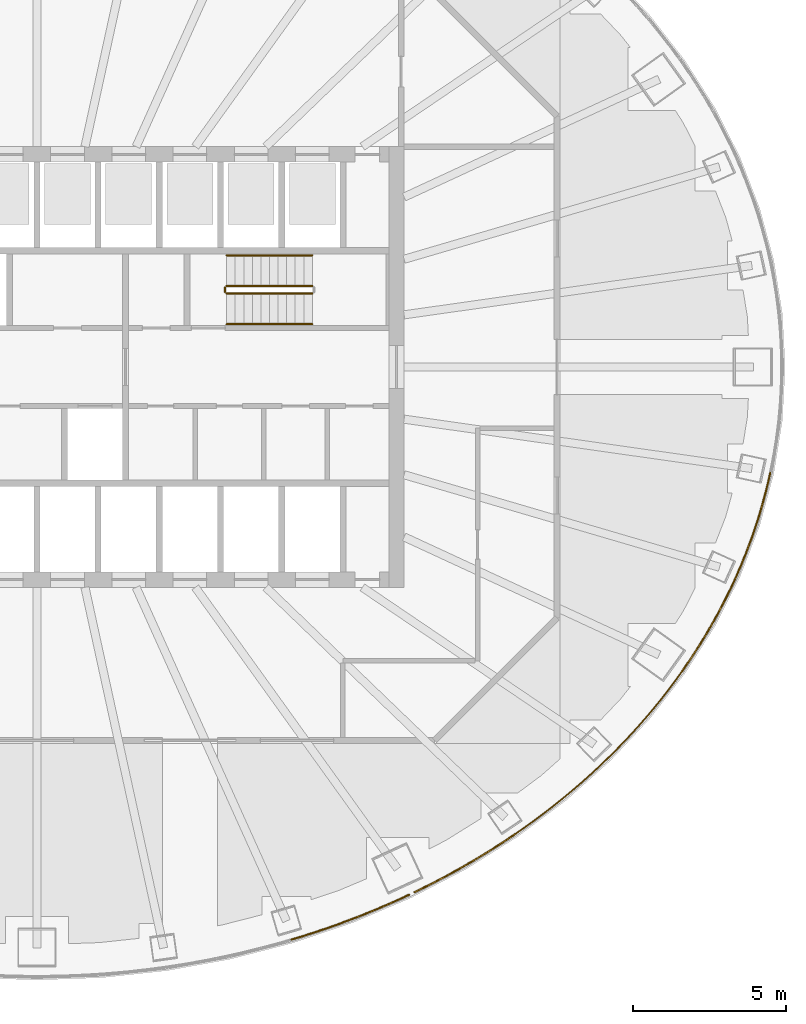
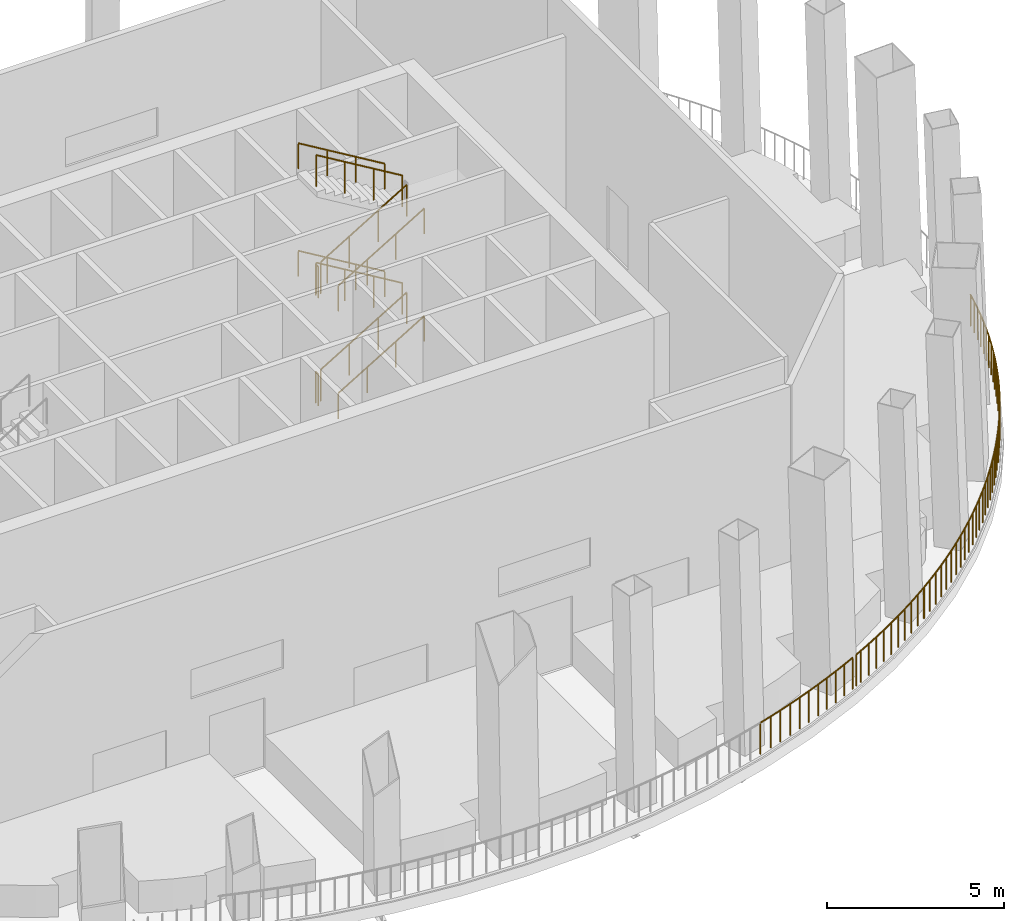
# One storey, part 11 of 15: 16 railings.
"""IFC4 building model written with IfcOpenShell, lengths in metres."""

from ifc_helpers import new_model, si_unit, direction, frame, origin, origin_2d, place, context, subcontext, project, spatial, circle, extrude, material, type_object, element, save


model = new_model("IFC4")

# Units and contexts
model_context = context("Model", 3, precision=1e-05, world=origin(), true_north=direction((0.0, 1.0)))
body_context = subcontext(model_context, "Body", "Model", "MODEL_VIEW")
ifc_project = project(units=[si_unit("LENGTHUNIT", "METRE"), si_unit("AREAUNIT", "SQUARE_METRE"), si_unit("VOLUMEUNIT", "CUBIC_METRE"), si_unit("PLANEANGLEUNIT", "RADIAN"), si_unit("MASSUNIT", "GRAM", prefix="KILO")], contexts=[model_context])

# Site, building, storey
site_placement = place(None, origin())
site = spatial("IfcSite", under=ifc_project, at=site_placement, CompositionType="ELEMENT")
building_placement = place(site_placement, origin())
building = spatial("IfcBuilding", under=site, at=building_placement, Name="Siaravel Broadcast Tower", CompositionType="ELEMENT")
storey_placement = place(building_placement, frame((0.0, 0.0, 145.199951171875)))
storey = spatial("IfcBuildingStorey", under=building, at=storey_placement, Name="L35", CompositionType="ELEMENT", Elevation=145.199951171875)

# Railings
ifc_material_1 = material(Name="Steel S355", Category="steel")
railing_type_1 = type_object("IfcRailingType", Name="Guard 1100", PredefinedType="GUARDRAIL", material=ifc_material_1)
railing_1_placement = place(storey_placement, frame((8.322265625, -18.708984375, 0.080078125)))
element("IfcRailing", 1, at=railing_1_placement, inside=storey, type_object=railing_type_1, Name="L35 sky garden guard 30", PredefinedType="GUARDRAIL", context=body_context, shape_type="SweptSolid", body=[
    extrude(circle(Radius=0.02392578125, at=origin_2d()), frame((0.0, 0.0, 1.076171875), z_axis=(0.956196605, 0.292725218, 0.0), x_axis=(-0.292725218, 0.956196605, 0.0)), (0.0, 0.0, 1.0), 0.416259765625),
    extrude(circle(Radius=0.02392578125, at=origin_2d()), frame((0.39794921875, 0.121826171875, 1.076171875), z_axis=(0.951869286, 0.306504263, 0.0), x_axis=(-0.306504263, 0.951869286, 0.0)), (0.0, 0.0, 1.0), 0.4150390625),
    extrude(circle(Radius=0.02392578125, at=origin_2d()), frame((0.79296875, 0.2490234375, 1.076171875), z_axis=(0.947020316, 0.321173661, 0.0), x_axis=(-0.321173661, 0.947020316, 0.0)), (0.0, 0.0, 1.0), 0.414306640625),
    extrude(circle(Radius=0.02392578125, at=origin_2d()), frame((1.185302734375, 0.382080078125, 1.076171875), z_axis=(0.942048858, 0.335475706, 0.0), x_axis=(-0.335475706, 0.942048858, 0.0)), (0.0, 0.0, 1.0), 0.413330078125),
    extrude(circle(Radius=0.02392578125, at=origin_2d()), frame((1.57470703125, 0.520751953125, 1.076171875), z_axis=(0.937032744, 0.349241516, 0.0), x_axis=(-0.349241516, 0.937032744, 0.0)), (0.0, 0.0, 1.0), 0.412353515625),
    extrude(circle(Radius=0.02392578125, at=origin_2d()), frame((1.961181640625, 0.664794921875, 1.076171875), z_axis=(0.931513893, 0.363705743, 0.0), x_axis=(-0.363705743, 0.931513893, 0.0)), (0.0, 0.0, 1.0), 0.411376953125),
    extrude(circle(Radius=0.02392578125, at=origin_2d()), frame((2.344482421875, 0.814453125, 1.076171875), z_axis=(0.925953766, 0.377636893, 0.0), x_axis=(-0.377636893, 0.925953766, 0.0)), (0.0, 0.0, 1.0), 0.41064453125),
    extrude(circle(Radius=0.02392578125, at=origin_2d()), frame((2.724609375, 0.969482421875, 1.076171875), z_axis=(0.920067764, 0.391759249, 0.0), x_axis=(-0.391759249, 0.920067764, 0.0)), (0.0, 0.0, 1.0), 0.409423828125),
    extrude(circle(Radius=0.02392578125, at=origin_2d()), frame((3.101318359375, 1.1298828125, 1.076171875), z_axis=(0.913934751, 0.405861148, 0.0), x_axis=(-0.405861148, 0.913934751, 0.0)), (0.0, 0.0, 1.0), 0.408447265625),
    extrude(circle(Radius=0.02392578125, at=origin_2d()), frame((3.474609375, 1.295654296875, 1.076171875), z_axis=(0.90744998, 0.420160129, 0.0), x_axis=(-0.420160129, 0.90744998, 0.0)), (0.0, 0.0, 1.0), 0.4072265625),
    extrude(circle(Radius=0.02099609375, at=origin_2d()), origin(), (0.0, 0.0, 1.0), 1.052001953125),
    extrude(circle(Radius=0.02099609375, at=origin_2d()), frame((0.39794921875, 0.121826171875, 0.0)), (0.0, 0.0, 1.0), 1.052001953125),
    extrude(circle(Radius=0.02099609375, at=origin_2d()), frame((0.79296875, 0.2490234375, 0.0)), (0.0, 0.0, 1.0), 1.052001953125),
    extrude(circle(Radius=0.02099609375, at=origin_2d()), frame((1.185302734375, 0.382080078125, 0.0)), (0.0, 0.0, 1.0), 1.052001953125),
    extrude(circle(Radius=0.02099609375, at=origin_2d()), frame((1.57470703125, 0.520751953125, 0.0)), (0.0, 0.0, 1.0), 1.052001953125),
    extrude(circle(Radius=0.02099609375, at=origin_2d()), frame((1.961181640625, 0.664794921875, 0.0)), (0.0, 0.0, 1.0), 1.052001953125),
    extrude(circle(Radius=0.02099609375, at=origin_2d()), frame((2.344482421875, 0.814453125, 0.0)), (0.0, 0.0, 1.0), 1.052001953125),
    extrude(circle(Radius=0.02099609375, at=origin_2d()), frame((2.724609375, 0.969482421875, 0.0)), (0.0, 0.0, 1.0), 1.052001953125),
    extrude(circle(Radius=0.02099609375, at=origin_2d()), frame((3.101318359375, 1.1298828125, 0.0)), (0.0, 0.0, 1.0), 1.052001953125),
    extrude(circle(Radius=0.02099609375, at=origin_2d()), frame((3.474609375, 1.295654296875, 0.0)), (0.0, 0.0, 1.0), 1.052001953125),
    extrude(circle(Radius=0.02099609375, at=origin_2d()), frame((3.84423828125, 1.466796875, 0.0)), (0.0, 0.0, 1.0), 1.052001953125),
])
railing_2_placement = place(storey_placement, frame((12.338134765625, -17.16015625, 0.080078125)))
element("IfcRailing", 2, at=railing_2_placement, inside=storey, type_object=railing_type_1, Name="L35 sky garden guard 31", PredefinedType="GUARDRAIL", context=body_context, shape_type="SweptSolid", body=[
    extrude(circle(Radius=0.02392578125, at=origin_2d()), frame((0.0, 0.0, 1.076171875), z_axis=(0.899571677, 0.436773166, 0.0), x_axis=(-0.436773166, 0.899571677, 0.0)), (0.0, 0.0, 1.0), 0.2158203125),
    extrude(circle(Radius=0.02392578125, at=origin_2d()), frame((0.194091796875, 0.09423828125, 1.076171875), z_axis=(0.893823666, 0.448418616, 0.0), x_axis=(-0.448418616, 0.893823666, 0.0)), (0.0, 0.0, 1.0), 0.405029296875),
    extrude(circle(Radius=0.02392578125, at=origin_2d()), frame((0.55615234375, 0.27587890625, 1.076171875), z_axis=(0.886810939, 0.462132404, 0.0), x_axis=(-0.462132404, 0.886810939, 0.0)), (0.0, 0.0, 1.0), 0.404052734375),
    extrude(circle(Radius=0.02392578125, at=origin_2d()), frame((0.91455078125, 0.462646484375, 1.076171875), z_axis=(0.879397774, 0.47608776, 0.0), x_axis=(-0.47608776, 0.879397774, 0.0)), (0.0, 0.0, 1.0), 0.402587890625),
    extrude(circle(Radius=0.02392578125, at=origin_2d()), frame((1.2685546875, 0.654296875, 1.076171875), z_axis=(0.871737838, 0.489972592, 0.0), x_axis=(-0.489972592, 0.871737838, 0.0)), (0.0, 0.0, 1.0), 0.401611328125),
    extrude(circle(Radius=0.02392578125, at=origin_2d()), frame((1.61865234375, 0.85107421875, 1.076171875), z_axis=(0.863513365, 0.504325955, 0.0), x_axis=(-0.504325955, 0.863513365, 0.0)), (0.0, 0.0, 1.0), 0.400390625),
    extrude(circle(Radius=0.02392578125, at=origin_2d()), frame((1.96435546875, 1.052978515625, 1.076171875), z_axis=(0.855271779, 0.518179683, 0.0), x_axis=(-0.518179683, 0.855271779, 0.0)), (0.0, 0.0, 1.0), 0.399169921875),
    extrude(circle(Radius=0.02392578125, at=origin_2d()), frame((2.3056640625, 1.259765625, 1.076171875), z_axis=(0.847031383, 0.531542882, 0.0), x_axis=(-0.531542882, 0.847031383, 0.0)), (0.0, 0.0, 1.0), 0.397705078125),
    extrude(circle(Radius=0.02392578125, at=origin_2d()), frame((2.642578125, 1.47119140625, 1.076171875), z_axis=(0.838063561, 0.545572605, 0.0), x_axis=(-0.545572605, 0.838063561, 0.0)), (0.0, 0.0, 1.0), 0.396484375),
    extrude(circle(Radius=0.02392578125, at=origin_2d()), frame((2.974853515625, 1.6875, 1.076171875), z_axis=(0.829085479, 0.559121873, 0.0), x_axis=(-0.559121873, 0.829085479, 0.0)), (0.0, 0.0, 1.0), 0.394287109375),
    extrude(circle(Radius=0.02099609375, at=origin_2d()), origin(), (0.0, 0.0, 1.0), 1.052001953125),
    extrude(circle(Radius=0.02099609375, at=origin_2d()), frame((0.194091796875, 0.09423828125, 0.0)), (0.0, 0.0, 1.0), 1.052001953125),
    extrude(circle(Radius=0.02099609375, at=origin_2d()), frame((0.55615234375, 0.27587890625, 0.0)), (0.0, 0.0, 1.0), 1.052001953125),
    extrude(circle(Radius=0.02099609375, at=origin_2d()), frame((0.91455078125, 0.462646484375, 0.0)), (0.0, 0.0, 1.0), 1.052001953125),
    extrude(circle(Radius=0.02099609375, at=origin_2d()), frame((1.2685546875, 0.654296875, 0.0)), (0.0, 0.0, 1.0), 1.052001953125),
    extrude(circle(Radius=0.02099609375, at=origin_2d()), frame((1.61865234375, 0.85107421875, 0.0)), (0.0, 0.0, 1.0), 1.052001953125),
    extrude(circle(Radius=0.02099609375, at=origin_2d()), frame((1.96435546875, 1.052978515625, 0.0)), (0.0, 0.0, 1.0), 1.052001953125),
    extrude(circle(Radius=0.02099609375, at=origin_2d()), frame((2.3056640625, 1.259765625, 0.0)), (0.0, 0.0, 1.0), 1.052001953125),
    extrude(circle(Radius=0.02099609375, at=origin_2d()), frame((2.642578125, 1.47119140625, 0.0)), (0.0, 0.0, 1.0), 1.052001953125),
    extrude(circle(Radius=0.02099609375, at=origin_2d()), frame((2.974853515625, 1.6875, 0.0)), (0.0, 0.0, 1.0), 1.052001953125),
    extrude(circle(Radius=0.02099609375, at=origin_2d()), frame((3.3017578125, 1.907958984375, 0.0)), (0.0, 0.0, 1.0), 1.052001953125),
])
railing_3_placement = place(storey_placement, frame((15.660888671875, -15.23779296875, 0.080078125)))
element("IfcRailing", 3, at=railing_3_placement, inside=storey, type_object=railing_type_1, Name="L35 sky garden guard 32", PredefinedType="GUARDRAIL", context=body_context, shape_type="SweptSolid", body=[
    extrude(circle(Radius=0.02392578125, at=origin_2d()), frame((0.0, 0.0, 1.076171875), z_axis=(0.819449012, 0.573152089, 0.0), x_axis=(-0.573152089, 0.819449012, 0.0)), (0.0, 0.0, 1.0), 0.36962890625),
    extrude(circle(Radius=0.02392578125, at=origin_2d()), frame((0.302978515625, 0.2119140625, 1.076171875), z_axis=(0.809891172, 0.586580165, 0.0), x_axis=(-0.586580165, 0.809891172, 0.0)), (0.0, 0.0, 1.0), 0.392578125),
    extrude(circle(Radius=0.02392578125, at=origin_2d()), frame((0.620849609375, 0.442138671875, 1.076171875), z_axis=(0.800374142, 0.599500819, 0.0), x_axis=(-0.599500819, 0.800374142, 0.0)), (0.0, 0.0, 1.0), 0.391357421875),
    extrude(circle(Radius=0.02392578125, at=origin_2d()), frame((0.93408203125, 0.6767578125, 1.076171875), z_axis=(0.78982378, 0.613333838, 0.0), x_axis=(-0.613333838, 0.78982378, 0.0)), (0.0, 0.0, 1.0), 0.39013671875),
    extrude(circle(Radius=0.02392578125, at=origin_2d()), frame((1.2421875, 0.916015625, 1.076171875), z_axis=(0.779026654, 0.626990807, 0.0), x_axis=(-0.626990807, 0.779026654, 0.0)), (0.0, 0.0, 1.0), 0.388671875),
    extrude(circle(Radius=0.02392578125, at=origin_2d()), frame((1.544921875, 1.15966796875, 1.076171875), z_axis=(0.768737515, 0.639564408, 0.0), x_axis=(-0.639564408, 0.768737515, 0.0)), (0.0, 0.0, 1.0), 0.387451171875),
    extrude(circle(Radius=0.02392578125, at=origin_2d()), frame((1.8427734375, 1.407470703125, 1.076171875), z_axis=(0.75737759, 0.652977171, 0.0), x_axis=(-0.652977171, 0.75737759, 0.0)), (0.0, 0.0, 1.0), 0.3857421875),
    extrude(circle(Radius=0.02392578125, at=origin_2d()), frame((2.135009765625, 1.659423828125, 1.076171875), z_axis=(0.745656101, 0.666330984, 0.0), x_axis=(-0.666330984, 0.745656101, 0.0)), (0.0, 0.0, 1.0), 0.384765625),
    extrude(circle(Radius=0.02392578125, at=origin_2d()), frame((2.421875, 1.915771484375, 1.076171875), z_axis=(0.734583574, 0.678518219, 0.0), x_axis=(-0.678518219, 0.734583574, 0.0)), (0.0, 0.0, 1.0), 0.38330078125),
    extrude(circle(Radius=0.02392578125, at=origin_2d()), frame((2.703369140625, 2.17578125, 1.076171875), z_axis=(0.721655507, 0.69225236, 0.0), x_axis=(-0.69225236, 0.721655507, 0.0)), (0.0, 0.0, 1.0), 0.3818359375),
    extrude(circle(Radius=0.02099609375, at=origin_2d()), origin(), (0.0, 0.0, 1.0), 1.052001953125),
    extrude(circle(Radius=0.02099609375, at=origin_2d()), frame((0.302978515625, 0.2119140625, 0.0)), (0.0, 0.0, 1.0), 1.052001953125),
    extrude(circle(Radius=0.02099609375, at=origin_2d()), frame((0.620849609375, 0.442138671875, 0.0)), (0.0, 0.0, 1.0), 1.052001953125),
    extrude(circle(Radius=0.02099609375, at=origin_2d()), frame((0.93408203125, 0.6767578125, 0.0)), (0.0, 0.0, 1.0), 1.052001953125),
    extrude(circle(Radius=0.02099609375, at=origin_2d()), frame((1.2421875, 0.916015625, 0.0)), (0.0, 0.0, 1.0), 1.052001953125),
    extrude(circle(Radius=0.02099609375, at=origin_2d()), frame((1.544921875, 1.15966796875, 0.0)), (0.0, 0.0, 1.0), 1.052001953125),
    extrude(circle(Radius=0.02099609375, at=origin_2d()), frame((1.8427734375, 1.407470703125, 0.0)), (0.0, 0.0, 1.0), 1.052001953125),
    extrude(circle(Radius=0.02099609375, at=origin_2d()), frame((2.135009765625, 1.659423828125, 0.0)), (0.0, 0.0, 1.0), 1.052001953125),
    extrude(circle(Radius=0.02099609375, at=origin_2d()), frame((2.421875, 1.915771484375, 0.0)), (0.0, 0.0, 1.0), 1.052001953125),
    extrude(circle(Radius=0.02099609375, at=origin_2d()), frame((2.703369140625, 2.17578125, 0.0)), (0.0, 0.0, 1.0), 1.052001953125),
    extrude(circle(Radius=0.02099609375, at=origin_2d()), frame((2.97900390625, 2.440185546875, 0.0)), (0.0, 0.0, 1.0), 1.052001953125),
])
railing_4_placement = place(storey_placement, frame((18.639892578125, -12.797607421875, 0.080078125)))
element("IfcRailing", 4, at=railing_4_placement, inside=storey, type_object=railing_type_1, Name="L35 sky garden guard 33", PredefinedType="GUARDRAIL", context=body_context, shape_type="SweptSolid", body=[
    extrude(circle(Radius=0.02392578125, at=origin_2d()), frame((0.0, 0.0, 1.076171875), z_axis=(0.709987017, 0.704214765, 0.0), x_axis=(-0.704214765, 0.709987017, 0.0)), (0.0, 0.0, 1.0), 0.380615234375),
    extrude(circle(Radius=0.02392578125, at=origin_2d()), frame((0.270263671875, 0.26806640625, 1.076171875), z_axis=(0.697060011, 0.71701279, 0.0), x_axis=(-0.71701279, 0.697060011, 0.0)), (0.0, 0.0, 1.0), 0.37939453125),
    extrude(circle(Radius=0.02392578125, at=origin_2d()), frame((0.53466796875, 0.5400390625, 1.076171875), z_axis=(0.684134508, 0.729355863, 0.0), x_axis=(-0.729355863, 0.684134508, 0.0)), (0.0, 0.0, 1.0), 0.3779296875),
    extrude(circle(Radius=0.02392578125, at=origin_2d()), frame((0.793212890625, 0.815673828125, 1.076171875), z_axis=(0.670539669, 0.741873677, 0.0), x_axis=(-0.741873677, 0.670539669, 0.0)), (0.0, 0.0, 1.0), 0.37646484375),
    extrude(circle(Radius=0.02392578125, at=origin_2d()), frame((1.045654296875, 1.094970703125, 1.076171875), z_axis=(0.65735304, 0.753582763, 0.0), x_axis=(-0.753582763, 0.65735304, 0.0)), (0.0, 0.0, 1.0), 0.37548828125),
    extrude(circle(Radius=0.02392578125, at=origin_2d()), frame((1.29248046875, 1.3779296875, 1.076171875), z_axis=(0.64306959, 0.765807745, 0.0), x_axis=(-0.765807745, 0.64306959, 0.0)), (0.0, 0.0, 1.0), 0.3740234375),
    extrude(circle(Radius=0.02392578125, at=origin_2d()), frame((1.532958984375, 1.664306640625, 1.076171875), z_axis=(0.628840132, 0.777534622, 0.0), x_axis=(-0.777534622, 0.628840132, 0.0)), (0.0, 0.0, 1.0), 0.372802734375),
    extrude(circle(Radius=0.02392578125, at=origin_2d()), frame((1.767333984375, 1.9541015625, 1.076171875), z_axis=(0.614623017, 0.788820985, 0.0), x_axis=(-0.788820985, 0.614623017, 0.0)), (0.0, 0.0, 1.0), 0.371337890625),
    extrude(circle(Radius=0.02392578125, at=origin_2d()), frame((1.99560546875, 2.2470703125, 1.076171875), z_axis=(0.599366818, 0.800474496, 0.0), x_axis=(-0.800474496, 0.599366818, 0.0)), (0.0, 0.0, 1.0), 0.370361328125),
    extrude(circle(Radius=0.02392578125, at=origin_2d()), frame((2.217529296875, 2.54345703125, 1.076171875), z_axis=(0.583990715, 0.811760337, 0.0), x_axis=(-0.811760337, 0.583990715, 0.0)), (0.0, 0.0, 1.0), 0.36865234375),
    extrude(circle(Radius=0.02099609375, at=origin_2d()), origin(), (0.0, 0.0, 1.0), 1.052001953125),
    extrude(circle(Radius=0.02099609375, at=origin_2d()), frame((0.270263671875, 0.26806640625, 0.0)), (0.0, 0.0, 1.0), 1.052001953125),
    extrude(circle(Radius=0.02099609375, at=origin_2d()), frame((0.53466796875, 0.5400390625, 0.0)), (0.0, 0.0, 1.0), 1.052001953125),
    extrude(circle(Radius=0.02099609375, at=origin_2d()), frame((0.793212890625, 0.815673828125, 0.0)), (0.0, 0.0, 1.0), 1.052001953125),
    extrude(circle(Radius=0.02099609375, at=origin_2d()), frame((1.045654296875, 1.094970703125, 0.0)), (0.0, 0.0, 1.0), 1.052001953125),
    extrude(circle(Radius=0.02099609375, at=origin_2d()), frame((1.29248046875, 1.3779296875, 0.0)), (0.0, 0.0, 1.0), 1.052001953125),
    extrude(circle(Radius=0.02099609375, at=origin_2d()), frame((1.532958984375, 1.664306640625, 0.0)), (0.0, 0.0, 1.0), 1.052001953125),
    extrude(circle(Radius=0.02099609375, at=origin_2d()), frame((1.767333984375, 1.9541015625, 0.0)), (0.0, 0.0, 1.0), 1.052001953125),
    extrude(circle(Radius=0.02099609375, at=origin_2d()), frame((1.99560546875, 2.2470703125, 0.0)), (0.0, 0.0, 1.0), 1.052001953125),
    extrude(circle(Radius=0.02099609375, at=origin_2d()), frame((2.217529296875, 2.54345703125, 0.0)), (0.0, 0.0, 1.0), 1.052001953125),
    extrude(circle(Radius=0.02099609375, at=origin_2d()), frame((2.432861328125, 2.8427734375, 0.0)), (0.0, 0.0, 1.0), 1.052001953125),
])
railing_5_placement = place(storey_placement, frame((21.07275390625, -9.954833984375, 0.080078125)))
element("IfcRailing", 5, at=railing_5_placement, inside=storey, type_object=railing_type_1, Name="L35 sky garden guard 34", PredefinedType="GUARDRAIL", context=body_context, shape_type="SweptSolid", body=[
    extrude(circle(Radius=0.02392578125, at=origin_2d()), frame((0.0, 0.0, 1.076171875), z_axis=(0.56886476, 0.822431082, 0.0), x_axis=(-0.822431082, 0.56886476, 0.0)), (0.0, 0.0, 1.0), 0.367919921875),
    extrude(circle(Radius=0.02392578125, at=origin_2d()), frame((0.209228515625, 0.302490234375, 1.076171875), z_axis=(0.552854278, 0.833277953, 0.0), x_axis=(-0.833277953, 0.552854278, 0.0)), (0.0, 0.0, 1.0), 0.366455078125),
    extrude(circle(Radius=0.02392578125, at=origin_2d()), frame((0.411865234375, 0.60791015625, 1.076171875), z_axis=(0.536832233, 0.843689014, 0.0), x_axis=(-0.843689014, 0.536832233, 0.0)), (0.0, 0.0, 1.0), 0.365234375),
    extrude(circle(Radius=0.02392578125, at=origin_2d()), frame((0.60791015625, 0.916015625, 1.076171875), z_axis=(0.520202124, 0.854043178, 0.0), x_axis=(-0.854043178, 0.520202124, 0.0)), (0.0, 0.0, 1.0), 0.3642578125),
    extrude(circle(Radius=0.02392578125, at=origin_2d()), frame((0.79736328125, 1.22705078125, 1.076171875), z_axis=(0.503871026, 0.863778901, 0.0), x_axis=(-0.863778901, 0.503871026, 0.0)), (0.0, 0.0, 1.0), 0.36279296875),
    extrude(circle(Radius=0.02392578125, at=origin_2d()), frame((0.980224609375, 1.54052734375, 1.076171875), z_axis=(0.486158101, 0.873870872, 0.0), x_axis=(-0.873870872, 0.486158101, 0.0)), (0.0, 0.0, 1.0), 0.362060546875),
    extrude(circle(Radius=0.02392578125, at=origin_2d()), frame((1.15625, 1.85693359375, 1.076171875), z_axis=(0.469534429, 0.882914164, 0.0), x_axis=(-0.882914164, 0.469534429, 0.0)), (0.0, 0.0, 1.0), 0.36083984375),
    extrude(circle(Radius=0.02392578125, at=origin_2d()), frame((1.32568359375, 2.175537109375, 1.076171875), z_axis=(0.451820833, 0.892108701, 0.0), x_axis=(-0.892108701, 0.451820833, 0.0)), (0.0, 0.0, 1.0), 0.35986328125),
    extrude(circle(Radius=0.02392578125, at=origin_2d()), frame((1.48828125, 2.49658203125, 1.076171875), z_axis=(0.43354957, 0.901129719, 0.0), x_axis=(-0.901129719, 0.43354957, 0.0)), (0.0, 0.0, 1.0), 0.358642578125),
    extrude(circle(Radius=0.02392578125, at=origin_2d()), frame((1.643798828125, 2.81982421875, 1.076171875), z_axis=(0.416114394, 0.909312274, 0.0), x_axis=(-0.909312274, 0.416114394, 0.0)), (0.0, 0.0, 1.0), 0.35791015625),
    extrude(circle(Radius=0.02099609375, at=origin_2d()), origin(), (0.0, 0.0, 1.0), 1.052001953125),
    extrude(circle(Radius=0.02099609375, at=origin_2d()), frame((0.209228515625, 0.302490234375, 0.0)), (0.0, 0.0, 1.0), 1.052001953125),
    extrude(circle(Radius=0.02099609375, at=origin_2d()), frame((0.411865234375, 0.60791015625, 0.0)), (0.0, 0.0, 1.0), 1.052001953125),
    extrude(circle(Radius=0.02099609375, at=origin_2d()), frame((0.60791015625, 0.916015625, 0.0)), (0.0, 0.0, 1.0), 1.052001953125),
    extrude(circle(Radius=0.02099609375, at=origin_2d()), frame((0.79736328125, 1.22705078125, 0.0)), (0.0, 0.0, 1.0), 1.052001953125),
    extrude(circle(Radius=0.02099609375, at=origin_2d()), frame((0.980224609375, 1.54052734375, 0.0)), (0.0, 0.0, 1.0), 1.052001953125),
    extrude(circle(Radius=0.02099609375, at=origin_2d()), frame((1.15625, 1.85693359375, 0.0)), (0.0, 0.0, 1.0), 1.052001953125),
    extrude(circle(Radius=0.02099609375, at=origin_2d()), frame((1.32568359375, 2.175537109375, 0.0)), (0.0, 0.0, 1.0), 1.052001953125),
    extrude(circle(Radius=0.02099609375, at=origin_2d()), frame((1.48828125, 2.49658203125, 0.0)), (0.0, 0.0, 1.0), 1.052001953125),
    extrude(circle(Radius=0.02099609375, at=origin_2d()), frame((1.643798828125, 2.81982421875, 0.0)), (0.0, 0.0, 1.0), 1.052001953125),
    extrude(circle(Radius=0.02099609375, at=origin_2d()), frame((1.792724609375, 3.145263671875, 0.0)), (0.0, 0.0, 1.0), 1.052001953125),
])
railing_6_placement = place(storey_placement, frame((22.865478515625, -6.8095703125, 0.080078125)))
element("IfcRailing", 6, at=railing_6_placement, inside=storey, type_object=railing_type_1, Name="L35 sky garden guard 35", PredefinedType="GUARDRAIL", context=body_context, shape_type="SweptSolid", body=[
    extrude(circle(Radius=0.02392578125, at=origin_2d()), frame((0.0, 0.0, 1.076171875), z_axis=(0.396724251, 0.917937835, 0.0), x_axis=(-0.917937835, 0.396724251, 0.0)), (0.0, 0.0, 1.0), 0.35693359375),
    extrude(circle(Radius=0.02392578125, at=origin_2d()), frame((0.1416015625, 0.32763671875, 1.076171875), z_axis=(0.378472655, 0.925612472, 0.0), x_axis=(-0.925612472, 0.378472655, 0.0)), (0.0, 0.0, 1.0), 0.35595703125),
    extrude(circle(Radius=0.02392578125, at=origin_2d()), frame((0.2763671875, 0.6572265625, 1.076171875), z_axis=(0.359624078, 0.933097274, 0.0), x_axis=(-0.933097274, 0.359624078, 0.0)), (0.0, 0.0, 1.0), 0.35498046875),
    extrude(circle(Radius=0.02392578125, at=origin_2d()), frame((0.404052734375, 0.988525390625, 1.076171875), z_axis=(0.340304572, 0.940315265, 0.0), x_axis=(-0.940315265, 0.340304572, 0.0)), (0.0, 0.0, 1.0), 0.3544921875),
    extrude(circle(Radius=0.02392578125, at=origin_2d()), frame((0.524658203125, 1.32177734375, 1.076171875), z_axis=(0.32119679, 0.947012472, 0.0), x_axis=(-0.947012472, 0.32119679, 0.0)), (0.0, 0.0, 1.0), 0.353515625),
    extrude(circle(Radius=0.02392578125, at=origin_2d()), frame((0.63818359375, 1.656494140625, 1.076171875), z_axis=(0.301661126, 0.953415211, 0.0), x_axis=(-0.953415211, 0.301661126, 0.0)), (0.0, 0.0, 1.0), 0.352783203125),
    extrude(circle(Radius=0.02392578125, at=origin_2d()), frame((0.74462890625, 1.992919921875, 1.076171875), z_axis=(0.281490592, 0.959563988, 0.0), x_axis=(-0.959563988, 0.281490592, 0.0)), (0.0, 0.0, 1.0), 0.35205078125),
    extrude(circle(Radius=0.02392578125, at=origin_2d()), frame((0.84375, 2.330810546875, 1.076171875), z_axis=(0.261118919, 0.965306641, 0.0), x_axis=(-0.965306641, 0.261118919, 0.0)), (0.0, 0.0, 1.0), 0.3515625),
    extrude(circle(Radius=0.02392578125, at=origin_2d()), frame((0.935546875, 2.670166015625, 1.076171875), z_axis=(0.241389684, 0.970428267, 0.0), x_axis=(-0.970428267, 0.241389684, 0.0)), (0.0, 0.0, 1.0), 0.35107421875),
    extrude(circle(Radius=0.02392578125, at=origin_2d()), frame((1.020263671875, 3.0107421875, 1.076171875), z_axis=(0.220988304, 0.975276458, 0.0), x_axis=(-0.975276458, 0.220988304, 0.0)), (0.0, 0.0, 1.0), 0.35009765625),
    extrude(circle(Radius=0.02099609375, at=origin_2d()), origin(), (0.0, 0.0, 1.0), 1.052001953125),
    extrude(circle(Radius=0.02099609375, at=origin_2d()), frame((0.1416015625, 0.32763671875, 0.0)), (0.0, 0.0, 1.0), 1.052001953125),
    extrude(circle(Radius=0.02099609375, at=origin_2d()), frame((0.2763671875, 0.6572265625, 0.0)), (0.0, 0.0, 1.0), 1.052001953125),
    extrude(circle(Radius=0.02099609375, at=origin_2d()), frame((0.404052734375, 0.988525390625, 0.0)), (0.0, 0.0, 1.0), 1.052001953125),
    extrude(circle(Radius=0.02099609375, at=origin_2d()), frame((0.524658203125, 1.32177734375, 0.0)), (0.0, 0.0, 1.0), 1.052001953125),
    extrude(circle(Radius=0.02099609375, at=origin_2d()), frame((0.63818359375, 1.656494140625, 0.0)), (0.0, 0.0, 1.0), 1.052001953125),
    extrude(circle(Radius=0.02099609375, at=origin_2d()), frame((0.74462890625, 1.992919921875, 0.0)), (0.0, 0.0, 1.0), 1.052001953125),
    extrude(circle(Radius=0.02099609375, at=origin_2d()), frame((0.84375, 2.330810546875, 0.0)), (0.0, 0.0, 1.0), 1.052001953125),
    extrude(circle(Radius=0.02099609375, at=origin_2d()), frame((0.935546875, 2.670166015625, 0.0)), (0.0, 0.0, 1.0), 1.052001953125),
    extrude(circle(Radius=0.02099609375, at=origin_2d()), frame((1.020263671875, 3.0107421875, 0.0)), (0.0, 0.0, 1.0), 1.052001953125),
    extrude(circle(Radius=0.02099609375, at=origin_2d()), frame((1.09765625, 3.352294921875, 0.0)), (0.0, 0.0, 1.0), 1.052001953125),
])
ifc_material_2 = material(Name="Stainless steel 316L", Category="steel")
railing_type_2 = type_object("IfcRailingType", Name="Stair guard 1100", PredefinedType="GUARDRAIL", material=ifc_material_2)
railing_7_placement = place(storey_placement, frame((6.199951171875, 2.39990234375, 0.168212890625)))
element("IfcRailing", 7, at=railing_7_placement, inside=storey, type_object=railing_type_2, Name="L35 ST-2 stair guard 1", PredefinedType="GUARDRAIL", context=body_context, shape_type="SweptSolid", body=[
    extrude(circle(Radius=0.02392578125, at=origin_2d()), frame((0.0, 0.0, 1.076171875), z_axis=(0.857242211, 0.0, 0.514913383), x_axis=(0.0, 1.0, 0.0)), (0.0, 0.0, 1.0), 3.266357421875),
    extrude(circle(Radius=0.02099609375, at=origin_2d()), origin(), (0.0, 0.0, 1.0), 1.052001953125),
    extrude(circle(Radius=0.02099609375, at=origin_2d()), frame((0.933349609375, 0.0, 0.560546875)), (0.0, 0.0, 1.0), 1.052001953125),
    extrude(circle(Radius=0.02099609375, at=origin_2d()), frame((1.86669921875, 0.0, 1.121337890625)), (0.0, 0.0, 1.0), 1.052001953125),
    extrude(circle(Radius=0.02099609375, at=origin_2d()), frame((2.800048828125, 0.0, 1.681884765625)), (0.0, 0.0, 1.0), 1.052001953125),
])
railing_8_placement = place(storey_placement, frame((9.0, 2.64990234375, 2.018310546875)))
element("IfcRailing", 8, at=railing_8_placement, inside=storey, type_object=railing_type_2, Name="L35 ST-2 stair guard 3", PredefinedType="GUARDRAIL", context=body_context, shape_type="SweptSolid", body=[
    extrude(circle(Radius=0.02392578125, at=origin_2d()), frame((0.0, 0.0, 1.076171875), z_axis=(-0.857275203, 0.0, 0.514858453), x_axis=(0.0, -1.0, 0.0)), (0.0, 0.0, 1.0), 3.26611328125),
    extrude(circle(Radius=0.02099609375, at=origin_2d()), origin(), (0.0, 0.0, 1.0), 1.052001953125),
    extrude(circle(Radius=0.02099609375, at=origin_2d()), frame((-0.933349609375, 0.0, 0.560546875)), (0.0, 0.0, 1.0), 1.052001953125),
    extrude(circle(Radius=0.02099609375, at=origin_2d()), frame((-1.86669921875, 0.0, 1.12109375)), (0.0, 0.0, 1.0), 1.052001953125),
    extrude(circle(Radius=0.02099609375, at=origin_2d()), frame((-2.800048828125, 0.0, 1.681640625)), (0.0, 0.0, 1.0), 1.052001953125),
])
railing_9_placement = place(storey_placement, frame((6.14990234375, 2.449951171875, 3.699951171875)))
element("IfcRailing", 9, at=railing_9_placement, inside=storey, type_object=railing_type_2, Name="L35 ST-2 stair guard 4", PredefinedType="GUARDRAIL", context=body_context, shape_type="SweptSolid", body=[
    extrude(circle(Radius=0.02392578125, at=origin_2d()), frame((0.0, 0.0, 1.076171875), z_axis=(0.0, 1.0, 0.0), x_axis=(-1.0, 0.0, 0.0)), (0.0, 0.0, 1.0), 0.150146484375),
    extrude(circle(Radius=0.02099609375, at=origin_2d()), origin(), (0.0, 0.0, 1.0), 1.052001953125),
    extrude(circle(Radius=0.02099609375, at=origin_2d()), frame((0.0, 0.150146484375, 0.0)), (0.0, 0.0, 1.0), 1.052001953125),
])
railing_10_placement = place(storey_placement, frame((6.199951171875, 2.39990234375, 3.8681640625)))
element("IfcRailing", 10, at=railing_10_placement, inside=storey, type_object=railing_type_2, Name="L35 ST-2 stair guard 5", PredefinedType="GUARDRAIL", context=body_context, shape_type="SweptSolid", body=[
    extrude(circle(Radius=0.02392578125, at=origin_2d()), frame((0.0, 0.0, 1.076171875), z_axis=(0.857242211, 0.0, 0.514913383), x_axis=(0.0, 1.0, 0.0)), (0.0, 0.0, 1.0), 3.266357421875),
    extrude(circle(Radius=0.02099609375, at=origin_2d()), origin(), (0.0, 0.0, 1.0), 1.052001953125),
    extrude(circle(Radius=0.02099609375, at=origin_2d()), frame((0.933349609375, 0.0, 0.560546875)), (0.0, 0.0, 1.0), 1.052001953125),
    extrude(circle(Radius=0.02099609375, at=origin_2d()), frame((1.86669921875, 0.0, 1.121337890625)), (0.0, 0.0, 1.0), 1.052001953125),
    extrude(circle(Radius=0.02099609375, at=origin_2d()), frame((2.800048828125, 0.0, 1.681884765625)), (0.0, 0.0, 1.0), 1.052001953125),
])
railing_11_placement = place(storey_placement, frame((9.0, 2.64990234375, 5.71826171875)))
element("IfcRailing", 11, at=railing_11_placement, inside=storey, type_object=railing_type_2, Name="L35 ST-2 stair guard 7", PredefinedType="GUARDRAIL", context=body_context, shape_type="SweptSolid", body=[
    extrude(circle(Radius=0.02392578125, at=origin_2d()), frame((0.0, 0.0, 1.076171875), z_axis=(-0.857242211, 0.0, 0.514913383), x_axis=(0.0, -1.0, 0.0)), (0.0, 0.0, 1.0), 3.266357421875),
    extrude(circle(Radius=0.02099609375, at=origin_2d()), origin(), (0.0, 0.0, 1.0), 1.052001953125),
    extrude(circle(Radius=0.02099609375, at=origin_2d()), frame((-0.933349609375, 0.0, 0.560546875)), (0.0, 0.0, 1.0), 1.052001953125),
    extrude(circle(Radius=0.02099609375, at=origin_2d()), frame((-1.86669921875, 0.0, 1.121337890625)), (0.0, 0.0, 1.0), 1.052001953125),
    extrude(circle(Radius=0.02099609375, at=origin_2d()), frame((-2.800048828125, 0.0, 1.681884765625)), (0.0, 0.0, 1.0), 1.052001953125),
])
railing_12_placement = place(storey_placement, frame((6.14990234375, 2.449951171875, 0.0)))
element("IfcRailing", 12, at=railing_12_placement, inside=storey, type_object=railing_type_2, Name="L35 ST-2 stair guard 8", PredefinedType="GUARDRAIL", context=body_context, shape_type="SweptSolid", body=[
    extrude(circle(Radius=0.02392578125, at=origin_2d()), frame((0.0, 0.0, 1.076171875), z_axis=(0.0, 1.0, 0.0), x_axis=(-1.0, 0.0, 0.0)), (0.0, 0.0, 1.0), 0.150146484375),
    extrude(circle(Radius=0.02099609375, at=origin_2d()), origin(), (0.0, 0.0, 1.0), 1.052001953125),
    extrude(circle(Radius=0.02099609375, at=origin_2d()), frame((0.0, 0.150146484375, 0.0)), (0.0, 0.0, 1.0), 1.052001953125),
])
railing_type_3 = type_object("IfcRailingType", Name="Stair handrail 900", PredefinedType="HANDRAIL", material=ifc_material_2)
railing_13_placement = place(storey_placement, frame((6.199951171875, 1.39990234375, 0.168212890625)))
element("IfcRailing", 13, at=railing_13_placement, inside=storey, type_object=railing_type_3, Name="L35 ST-2 stair handrail 1", PredefinedType="HANDRAIL", context=body_context, shape_type="SweptSolid", body=[
    extrude(circle(Radius=0.02392578125, at=origin_2d()), frame((0.0, 0.0, 0.8759765625), z_axis=(0.857242211, 0.0, 0.514913383), x_axis=(0.0, 1.0, 0.0)), (0.0, 0.0, 1.0), 3.266357421875),
    extrude(circle(Radius=0.02099609375, at=origin_2d()), origin(), (0.0, 0.0, 1.0), 0.851806640625),
    extrude(circle(Radius=0.02099609375, at=origin_2d()), frame((0.933349609375, 0.0, 0.560546875)), (0.0, 0.0, 1.0), 0.851806640625),
    extrude(circle(Radius=0.02099609375, at=origin_2d()), frame((1.86669921875, 0.0, 1.121337890625)), (0.0, 0.0, 1.0), 0.851806640625),
    extrude(circle(Radius=0.02099609375, at=origin_2d()), frame((2.800048828125, 0.0, 1.681884765625)), (0.0, 0.0, 1.0), 0.851806640625),
])
railing_14_placement = place(storey_placement, frame((9.0, 3.64990234375, 2.018310546875)))
element("IfcRailing", 14, at=railing_14_placement, inside=storey, type_object=railing_type_3, Name="L35 ST-2 stair handrail 2", PredefinedType="HANDRAIL", context=body_context, shape_type="SweptSolid", body=[
    extrude(circle(Radius=0.02392578125, at=origin_2d()), frame((0.0, 0.0, 0.8759765625), z_axis=(-0.857275203, 0.0, 0.514858453), x_axis=(0.0, -1.0, 0.0)), (0.0, 0.0, 1.0), 3.26611328125),
    extrude(circle(Radius=0.02099609375, at=origin_2d()), origin(), (0.0, 0.0, 1.0), 0.851806640625),
    extrude(circle(Radius=0.02099609375, at=origin_2d()), frame((-0.933349609375, 0.0, 0.560546875)), (0.0, 0.0, 1.0), 0.851806640625),
    extrude(circle(Radius=0.02099609375, at=origin_2d()), frame((-1.86669921875, 0.0, 1.12109375)), (0.0, 0.0, 1.0), 0.851806640625),
    extrude(circle(Radius=0.02099609375, at=origin_2d()), frame((-2.800048828125, 0.0, 1.681640625)), (0.0, 0.0, 1.0), 0.851806640625),
])
railing_15_placement = place(storey_placement, frame((6.199951171875, 1.39990234375, 3.8681640625)))
element("IfcRailing", 15, at=railing_15_placement, inside=storey, type_object=railing_type_3, Name="L35 ST-2 stair handrail 3", PredefinedType="HANDRAIL", context=body_context, shape_type="SweptSolid", body=[
    extrude(circle(Radius=0.02392578125, at=origin_2d()), frame((0.0, 0.0, 0.8759765625), z_axis=(0.857242211, 0.0, 0.514913383), x_axis=(0.0, 1.0, 0.0)), (0.0, 0.0, 1.0), 3.266357421875),
    extrude(circle(Radius=0.02099609375, at=origin_2d()), origin(), (0.0, 0.0, 1.0), 0.851806640625),
    extrude(circle(Radius=0.02099609375, at=origin_2d()), frame((0.933349609375, 0.0, 0.560546875)), (0.0, 0.0, 1.0), 0.851806640625),
    extrude(circle(Radius=0.02099609375, at=origin_2d()), frame((1.86669921875, 0.0, 1.121337890625)), (0.0, 0.0, 1.0), 0.851806640625),
    extrude(circle(Radius=0.02099609375, at=origin_2d()), frame((2.800048828125, 0.0, 1.681884765625)), (0.0, 0.0, 1.0), 0.851806640625),
])
railing_16_placement = place(storey_placement, frame((9.0, 3.64990234375, 5.71826171875)))
element("IfcRailing", 16, at=railing_16_placement, inside=storey, type_object=railing_type_3, Name="L35 ST-2 stair handrail 4", PredefinedType="HANDRAIL", context=body_context, shape_type="SweptSolid", body=[
    extrude(circle(Radius=0.02392578125, at=origin_2d()), frame((0.0, 0.0, 0.8759765625), z_axis=(-0.857242211, 0.0, 0.514913383), x_axis=(0.0, -1.0, 0.0)), (0.0, 0.0, 1.0), 3.266357421875),
    extrude(circle(Radius=0.02099609375, at=origin_2d()), origin(), (0.0, 0.0, 1.0), 0.851806640625),
    extrude(circle(Radius=0.02099609375, at=origin_2d()), frame((-0.933349609375, 0.0, 0.560546875)), (0.0, 0.0, 1.0), 0.851806640625),
    extrude(circle(Radius=0.02099609375, at=origin_2d()), frame((-1.86669921875, 0.0, 1.121337890625)), (0.0, 0.0, 1.0), 0.851806640625),
    extrude(circle(Radius=0.02099609375, at=origin_2d()), frame((-2.800048828125, 0.0, 1.681884765625)), (0.0, 0.0, 1.0), 0.851806640625),
])

save(model, "model.ifc")
